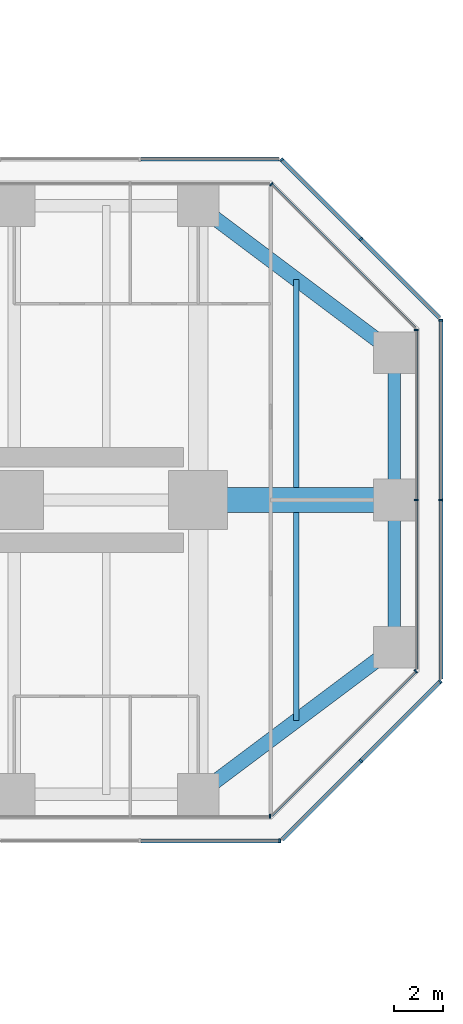
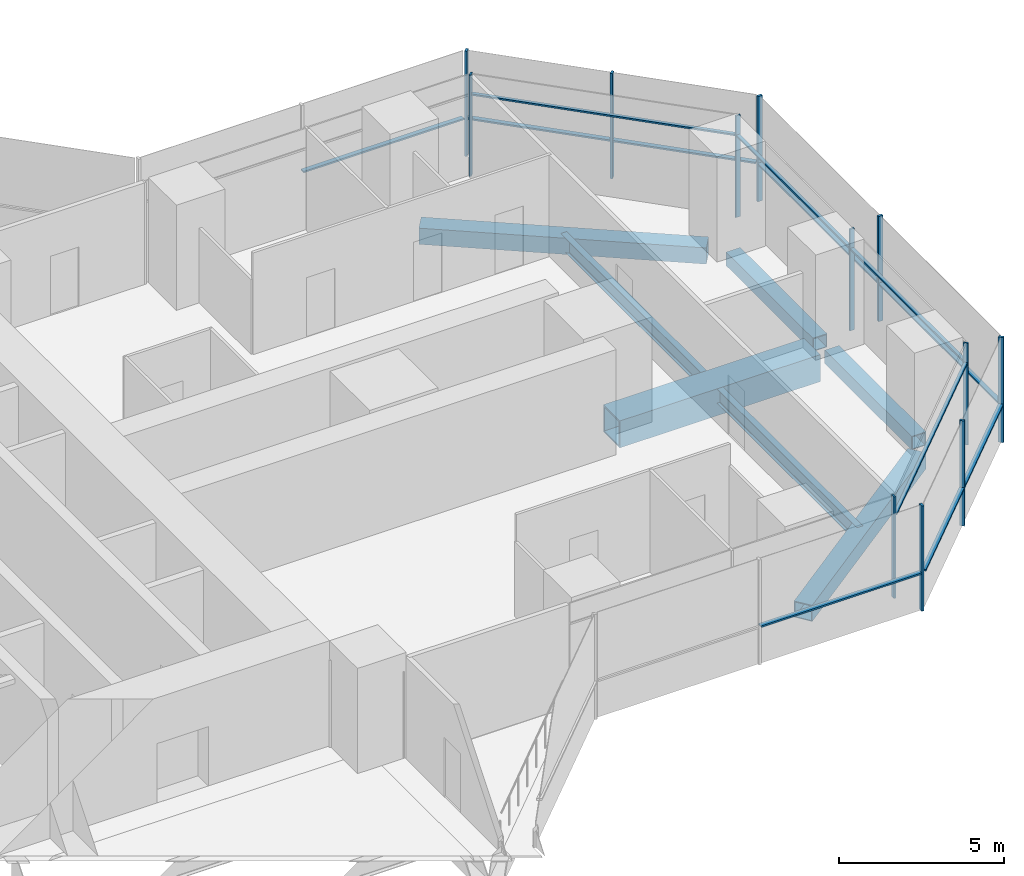
# One storey, part 11 of 20: 24 members, 7 beams, 9 elements without a shape of their own.
"""IFC4 building model written with IfcOpenShell, lengths in metres."""

from ifc_helpers import new_model, si_unit, direction, frame, origin, origin_2d, place, context, subcontext, project, spatial, rectangle, hollow_rectangle, i_section, extrude, material, material_profile, profile_set, type_object, element, aggregate, save


model = new_model("IFC4")

# Units and contexts
model_context = context("Model", 3, precision=1e-05, world=origin(), true_north=direction((0.0, 1.0)))
body_context = subcontext(model_context, "Body", "Model", "MODEL_VIEW")
ifc_project = project(units=[si_unit("LENGTHUNIT", "METRE"), si_unit("AREAUNIT", "SQUARE_METRE"), si_unit("VOLUMEUNIT", "CUBIC_METRE"), si_unit("PLANEANGLEUNIT", "RADIAN"), si_unit("MASSUNIT", "GRAM", prefix="KILO")], contexts=[model_context])

# Site, building, storey
site_placement = place(None, origin())
site = spatial("IfcSite", under=ifc_project, at=site_placement, CompositionType="ELEMENT")
building_placement = place(site_placement, origin())
building = spatial("IfcBuilding", under=site, at=building_placement, Name="Mizan Broadcast Tower", CompositionType="ELEMENT")
storey_placement = place(building_placement, frame((0.0, 0.0, 147.60009765625)))
storey = spatial("IfcBuildingStorey", under=building, at=storey_placement, Name="L33", CompositionType="ELEMENT", Elevation=147.60009765625)

# Beams
ifc_material_1 = material(Name="Steel S355", Category="steel")
ifc_material_profile_1 = material_profile(ifc_material_1, hollow_rectangle(XDim=0.5, YDim=0.5, WallThickness=0.030029296875, at=origin_2d()), Name="BOX 500x500x30")
ifc_profile_set_1 = profile_set([ifc_material_profile_1], Name="Steel S355")
beam_type_1 = type_object("IfcBeamType", Name="EDGE BEAM BOX 500x500x30", PredefinedType="SPANDREL", material=ifc_profile_set_1)
for number, where, z_axis, x_axis, name in (
    (1, (35.0, -5.639892578125, -0.380126953125), (0.0, 1.0, 0.0), (-1.0, 0.0, 0.0), "Edge beam BOX 500x500x30 L33 east arm"),
    (2, (35.0, 5.639892578125, -0.380126953125), (0.0, -1.0, 0.0), (1.0, 0.0, 0.0), "Edge beam BOX 500x500x30 L33 east arm"),
):
    element("IfcBeam", number, at=place(storey_placement, frame(where, z_axis=z_axis, x_axis=x_axis)), inside=storey, type_object=beam_type_1, Name=name, PredefinedType="SPANDREL", context=body_context, shape_type="SweptSolid", body=[
        extrude(hollow_rectangle(XDim=0.5, YDim=0.5, WallThickness=0.030029296875, at=origin_2d()), origin(), (0.0, 0.0, 1.0), 5.27978515625),
    ])
ifc_material_2 = material(Name="Steel S355", Category="steel")
ifc_material_profile_2 = material_profile(ifc_material_2, hollow_rectangle(XDim=0.60009765625, YDim=0.60009765625, WallThickness=0.030029296875, at=origin_2d()), Name="BOX 600x600x30")
ifc_profile_set_2 = profile_set([ifc_material_profile_2], Name="Steel S355")
beam_type_2 = type_object("IfcBeamType", Name="EDGE BEAM BOX 600x600x30", PredefinedType="SPANDREL", material=ifc_profile_set_2)
for number, where, z_axis, x_axis, name in (
    (3, (27.47998046875, -11.639892578125, -0.43017578125), (0.800013316712, 0.599982243973, 0.0), (-0.599982243973, 0.800013316712, 0.0), "Edge beam BOX 600x600x30 L33 east arm"),
    (4, (27.47998046875, 11.639892578125, -0.43017578125), (0.800013316712, -0.599982243973, 0.0), (0.599982243973, 0.800013316712, 0.0), "Edge beam BOX 600x600x30 L33 east arm"),
):
    element("IfcBeam", number, at=place(storey_placement, frame(where, z_axis=z_axis, x_axis=x_axis)), inside=storey, type_object=beam_type_2, Name=name, PredefinedType="SPANDREL", context=body_context, shape_type="SweptSolid", body=[
        extrude(hollow_rectangle(XDim=0.60009765625, YDim=0.60009765625, WallThickness=0.030029296875, at=origin_2d()), origin(), (0.0, 0.0, 1.0), 8.7998046875),
    ])
ifc_material_3 = material(Name="Steel S460", Category="steel")
ifc_material_profile_3 = material_profile(ifc_material_3, hollow_rectangle(XDim=1.0, YDim=1.0, WallThickness=0.06005859375, at=origin_2d()), Name="BOX 1000x1000x60")
ifc_profile_set_3 = profile_set([ifc_material_profile_3], Name="Steel S460")
beam_type_3 = type_object("IfcBeamType", Name="GIRDER BOX 1000x1000x60", PredefinedType="BEAM", material=ifc_profile_set_3)
beam_placement = place(storey_placement, frame((27.47998046875, 0.0, -0.630126953125), z_axis=(1.0, 0.0, 0.0), x_axis=(0.0, 1.0, 0.0)))
element("IfcBeam", 5, at=beam_placement, inside=storey, type_object=beam_type_3, Name="Girder BOX 1000x1000x60 L33 east arm", PredefinedType="BEAM", context=body_context, shape_type="SweptSolid", body=[
    extrude(hollow_rectangle(XDim=1.0, YDim=1.0, WallThickness=0.06005859375, at=origin_2d()), origin(), (0.0, 0.0, 1.0), 7.0400390625),
])

# Curtain wall, member
ifc_material_4 = material(Name="Aluminium framed glazing", Category="aluminium")
curtain_wall_type_1 = type_object("IfcCurtainWallType", Name="INNER SKIN MID ZONE", PredefinedType="USERDEFINED", material=ifc_material_4)
curtain_wall_1_placement = place(storey_placement, origin())
curtain_wall_1 = element("IfcCurtainWall", 6, at=curtain_wall_1_placement, inside=storey, type_object=curtain_wall_type_1, Name="Inner skin mid zone L33 E side", ObjectType="INNER SKIN MID ZONE", PredefinedType="USERDEFINED")
ifc_material_5 = material(Name="Aluminium, pale anodised", Category="aluminium")
ifc_material_profile_4 = material_profile(ifc_material_5, rectangle(XDim=0.159912109375, YDim=0.06005859375, at=origin_2d()), Name="MULLION 160x60")
ifc_profile_set_4 = profile_set([ifc_material_profile_4], Name="Aluminium, pale anodised")
member_type_1 = type_object("IfcMemberType", Name="INNER SKIN MULLION 60x160", PredefinedType="MULLION", material=ifc_profile_set_4)
member_1_placement = place(storey_placement, frame((29.928466796875, -12.89990234375, 0.0), z_axis=(0.0, 0.0, 1.0), x_axis=(0.0, 1.0, 0.0)))
member_1 = element("IfcMember", 7, at=member_1_placement, type_object=member_type_1, Name="Inner skin mid zone L33 E side mullion 3", PredefinedType="MULLION", context=body_context, shape_type="SweptSolid", body=[
    extrude(rectangle(XDim=0.159912109375, YDim=0.06005859375, at=origin_2d()), origin(), (0.0, 0.0, 1.0), 3.77001953125),
])
aggregate(curtain_wall_1, [member_1])

curtain_wall_2_placement = place(storey_placement, origin())
curtain_wall_2 = element("IfcCurtainWall", 8, at=curtain_wall_2_placement, inside=storey, type_object=curtain_wall_type_1, Name="Inner skin mid zone L33 E chamfer", ObjectType="INNER SKIN MID ZONE", PredefinedType="USERDEFINED")
member_2_placement = place(storey_placement, frame((35.87890625, -6.979736328125, 0.0), z_axis=(0.0, 0.0, 1.0), x_axis=(-0.707106781187, 0.707106781187, 0.0)))
member_2 = element("IfcMember", 9, at=member_2_placement, type_object=member_type_1, Name="Inner skin mid zone L33 E chamfer mullion 2", PredefinedType="MULLION", context=body_context, shape_type="SweptSolid", body=[
    extrude(rectangle(XDim=0.159912109375, YDim=0.06005859375, at=origin_2d()), origin(), (0.0, 0.0, 1.0), 3.77001953125),
])

# Curtain wall, members
curtain_wall_3_placement = place(storey_placement, origin())
curtain_wall_3 = element("IfcCurtainWall", 10, at=curtain_wall_3_placement, inside=storey, type_object=curtain_wall_type_1, Name="Inner skin mid zone L33 E end", ObjectType="INNER SKIN MID ZONE", PredefinedType="USERDEFINED")
member_3_placement = place(storey_placement, frame((35.89990234375, 0.0, 0.0), z_axis=(0.0, 0.0, 1.0), x_axis=(-1.0, 0.0, 0.0)))
member_3 = element("IfcMember", 11, at=member_3_placement, type_object=member_type_1, Name="Inner skin mid zone L33 E end mullion 2", PredefinedType="MULLION", context=body_context, shape_type="SweptSolid", body=[
    extrude(rectangle(XDim=0.159912109375, YDim=0.06005859375, at=origin_2d()), origin(), (0.0, 0.0, 1.0), 3.77001953125),
])
member_4_placement = place(storey_placement, frame((35.89990234375, 6.928466796875, 0.0), z_axis=(0.0, 0.0, 1.0), x_axis=(-1.0, 0.0, 0.0)))
member_4 = element("IfcMember", 12, at=member_4_placement, type_object=member_type_1, Name="Inner skin mid zone L33 E end mullion 3", PredefinedType="MULLION", context=body_context, shape_type="SweptSolid", body=[
    extrude(rectangle(XDim=0.159912109375, YDim=0.06005859375, at=origin_2d()), origin(), (0.0, 0.0, 1.0), 3.77001953125),
])

# Curtain wall, member
curtain_wall_4_placement = place(storey_placement, origin())
curtain_wall_4 = element("IfcCurtainWall", 13, at=curtain_wall_4_placement, inside=storey, type_object=curtain_wall_type_1, Name="Inner skin mid zone L33 E chamfer", ObjectType="INNER SKIN MID ZONE", PredefinedType="USERDEFINED")
member_5_placement = place(storey_placement, frame((29.979736328125, 12.87890625, 0.0), z_axis=(0.0, 0.0, 1.0), x_axis=(-0.707106781187, -0.707106781187, 0.0)))
member_5 = element("IfcMember", 14, at=member_5_placement, type_object=member_type_1, Name="Inner skin mid zone L33 E chamfer mullion 2", PredefinedType="MULLION", context=body_context, shape_type="SweptSolid", body=[
    extrude(rectangle(XDim=0.159912109375, YDim=0.06005859375, at=origin_2d()), origin(), (0.0, 0.0, 1.0), 3.77001953125),
])

# Member
ifc_material_6 = material(Name="Aluminium, pale anodised", Category="aluminium")
ifc_material_profile_5 = material_profile(ifc_material_6, rectangle(XDim=0.1201171875, YDim=0.06005859375, at=origin_2d()), Name="TRANSOM 120x60")
ifc_profile_set_5 = profile_set([ifc_material_profile_5], Name="Aluminium, pale anodised")
member_type_2 = type_object("IfcMemberType", Name="INNER SKIN TRANSOM 60x120", PredefinedType="USERDEFINED", material=ifc_profile_set_5)
member_6_placement = place(storey_placement, frame((30.0009765625, -12.857666015625, 3.02978515625), z_axis=(0.707106781187, 0.707106781187, 0.0), x_axis=(-0.707106781187, 0.707106781187, 0.0)))
member_6 = element("IfcMember", 15, at=member_6_placement, type_object=member_type_2, Name="Inner skin mid zone L33 E chamfer transom 1.1", ObjectType="TRANSOM", PredefinedType="USERDEFINED", context=body_context, shape_type="SweptSolid", body=[
    extrude(rectangle(XDim=0.1201171875, YDim=0.06005859375, at=origin_2d()), origin(), (0.0, 0.0, 1.0), 8.28271484375),
])

aggregate(curtain_wall_2, [member_2, member_6])

member_7_placement = place(storey_placement, frame((35.89990234375, -6.898681640625, 3.02978515625), z_axis=(0.0, 1.0, 0.0), x_axis=(-1.0, 0.0, 0.0)))
member_7 = element("IfcMember", 16, at=member_7_placement, type_object=member_type_2, Name="Inner skin mid zone L33 E end transom 1.1", ObjectType="TRANSOM", PredefinedType="USERDEFINED", context=body_context, shape_type="SweptSolid", body=[
    extrude(rectangle(XDim=0.1201171875, YDim=0.06005859375, at=origin_2d()), origin(), (0.0, 0.0, 1.0), 6.86865234375),
])

member_8_placement = place(storey_placement, frame((35.89990234375, 0.030029296875, 3.02978515625), z_axis=(0.0, 1.0, 0.0), x_axis=(-1.0, 0.0, 0.0)))
member_8 = element("IfcMember", 17, at=member_8_placement, type_object=member_type_2, Name="Inner skin mid zone L33 E end transom 2.1", ObjectType="TRANSOM", PredefinedType="USERDEFINED", context=body_context, shape_type="SweptSolid", body=[
    extrude(rectangle(XDim=0.1201171875, YDim=0.06005859375, at=origin_2d()), origin(), (0.0, 0.0, 1.0), 6.86865234375),
])

aggregate(curtain_wall_3, [member_3, member_4, member_7, member_8])

member_9_placement = place(storey_placement, frame((35.857666015625, 7.0009765625, 3.02978515625), z_axis=(-0.707106781187, 0.707106781187, 0.0), x_axis=(-0.707106781187, -0.707106781187, 0.0)))
member_9 = element("IfcMember", 18, at=member_9_placement, type_object=member_type_2, Name="Inner skin mid zone L33 E chamfer transom 1.1", ObjectType="TRANSOM", PredefinedType="USERDEFINED", context=body_context, shape_type="SweptSolid", body=[
    extrude(rectangle(XDim=0.1201171875, YDim=0.06005859375, at=origin_2d()), origin(), (0.0, 0.0, 1.0), 8.28271484375),
])

aggregate(curtain_wall_4, [member_5, member_9])

# Curtain wall, members
ifc_material_7 = material(Name="Aluminium framed glazing", Category="aluminium")
curtain_wall_type_2 = type_object("IfcCurtainWallType", Name="OUTER SKIN", PredefinedType="USERDEFINED", material=ifc_material_7)
curtain_wall_5_placement = place(storey_placement, origin())
curtain_wall_5 = element("IfcCurtainWall", 19, at=curtain_wall_5_placement, inside=storey, type_object=curtain_wall_type_2, Name="Outer skin L33 E chamfer", ObjectType="OUTER SKIN", PredefinedType="USERDEFINED")
ifc_material_8 = material(Name="Aluminium, pale anodised", Category="aluminium")
ifc_material_profile_6 = material_profile(ifc_material_8, rectangle(XDim=0.159912109375, YDim=0.080078125, at=origin_2d()), Name="MULLION 160x80")
ifc_profile_set_6 = profile_set([ifc_material_profile_6], Name="Aluminium, pale anodised")
member_type_3 = type_object("IfcMemberType", Name="OUTER SKIN MULLION 80x160", PredefinedType="MULLION", material=ifc_profile_set_6)
member_10_placement = place(storey_placement, frame((33.636474609375, -10.636474609375, 0.0), z_axis=(0.0, 0.0, 1.0), x_axis=(-0.707106781187, 0.707106781187, 0.0)))
member_10 = element("IfcMember", 20, at=member_10_placement, type_object=member_type_3, Name="Outer skin L33 E chamfer mullion 2", PredefinedType="MULLION", context=body_context, shape_type="SweptSolid", body=[
    extrude(rectangle(XDim=0.159912109375, YDim=0.080078125, at=origin_2d()), origin(), (0.0, 0.0, 1.0), 3.89990234375),
])
member_11_placement = place(storey_placement, frame((36.871826171875, -7.401123046875, 0.0), z_axis=(0.0, 0.0, 1.0), x_axis=(-0.707106781187, 0.707106781187, 0.0)))
member_11 = element("IfcMember", 21, at=member_11_placement, type_object=member_type_3, Name="Outer skin L33 E chamfer mullion 3", PredefinedType="MULLION", context=body_context, shape_type="SweptSolid", body=[
    extrude(rectangle(XDim=0.159912109375, YDim=0.080078125, at=origin_2d()), origin(), (0.0, 0.0, 1.0), 3.89990234375),
])

curtain_wall_6_placement = place(storey_placement, origin())
curtain_wall_6 = element("IfcCurtainWall", 22, at=curtain_wall_6_placement, inside=storey, type_object=curtain_wall_type_2, Name="Outer skin L33 E end", ObjectType="OUTER SKIN", PredefinedType="USERDEFINED")
member_12_placement = place(storey_placement, frame((36.89990234375, 0.0, 0.0), z_axis=(0.0, 0.0, 1.0), x_axis=(-1.0, 0.0, 0.0)))
member_12 = element("IfcMember", 23, at=member_12_placement, type_object=member_type_3, Name="Outer skin L33 E end mullion 2", PredefinedType="MULLION", context=body_context, shape_type="SweptSolid", body=[
    extrude(rectangle(XDim=0.159912109375, YDim=0.080078125, at=origin_2d()), origin(), (0.0, 0.0, 1.0), 3.89990234375),
])
member_13_placement = place(storey_placement, frame((36.89990234375, 7.332763671875, 0.0), z_axis=(0.0, 0.0, 1.0), x_axis=(-1.0, 0.0, 0.0)))
member_13 = element("IfcMember", 24, at=member_13_placement, type_object=member_type_3, Name="Outer skin L33 E end mullion 3", PredefinedType="MULLION", context=body_context, shape_type="SweptSolid", body=[
    extrude(rectangle(XDim=0.159912109375, YDim=0.080078125, at=origin_2d()), origin(), (0.0, 0.0, 1.0), 3.89990234375),
])

curtain_wall_7_placement = place(storey_placement, origin())
curtain_wall_7 = element("IfcCurtainWall", 25, at=curtain_wall_7_placement, inside=storey, type_object=curtain_wall_type_2, Name="Outer skin L33 E chamfer", ObjectType="OUTER SKIN", PredefinedType="USERDEFINED")
member_14_placement = place(storey_placement, frame((33.636474609375, 10.636474609375, 0.0), z_axis=(0.0, 0.0, 1.0), x_axis=(-0.707106781187, -0.707106781187, 0.0)))
member_14 = element("IfcMember", 26, at=member_14_placement, type_object=member_type_3, Name="Outer skin L33 E chamfer mullion 2", PredefinedType="MULLION", context=body_context, shape_type="SweptSolid", body=[
    extrude(rectangle(XDim=0.159912109375, YDim=0.080078125, at=origin_2d()), origin(), (0.0, 0.0, 1.0), 3.89990234375),
])
member_15_placement = place(storey_placement, frame((30.401123046875, 13.871826171875, 0.0), z_axis=(0.0, 0.0, 1.0), x_axis=(-0.707106781187, -0.707106781187, 0.0)))
member_15 = element("IfcMember", 27, at=member_15_placement, type_object=member_type_3, Name="Outer skin L33 E chamfer mullion 3", PredefinedType="MULLION", context=body_context, shape_type="SweptSolid", body=[
    extrude(rectangle(XDim=0.159912109375, YDim=0.080078125, at=origin_2d()), origin(), (0.0, 0.0, 1.0), 3.89990234375),
])

# Curtain wall, member
curtain_wall_8_placement = place(storey_placement, origin())
curtain_wall_8 = element("IfcCurtainWall", 28, at=curtain_wall_8_placement, inside=storey, type_object=curtain_wall_type_2, Name="Outer skin L33 E side", ObjectType="OUTER SKIN", PredefinedType="USERDEFINED")
member_16_placement = place(storey_placement, frame((30.332763671875, -13.89990234375, 0.0), z_axis=(0.0, 0.0, 1.0), x_axis=(0.0, 1.0, 0.0)))
member_16 = element("IfcMember", 29, at=member_16_placement, type_object=member_type_3, Name="Outer skin L33 E side mullion 3", PredefinedType="MULLION", context=body_context, shape_type="SweptSolid", body=[
    extrude(rectangle(XDim=0.159912109375, YDim=0.080078125, at=origin_2d()), origin(), (0.0, 0.0, 1.0), 3.89990234375),
])

# Member
ifc_material_9 = material(Name="Aluminium, pale anodised", Category="aluminium")
ifc_material_profile_7 = material_profile(ifc_material_9, rectangle(XDim=0.159912109375, YDim=0.06005859375, at=origin_2d()), Name="TRANSOM 160x60")
ifc_profile_set_7 = profile_set([ifc_material_profile_7], Name="Aluminium, pale anodised")
member_type_4 = type_object("IfcMemberType", Name="OUTER SKIN TRANSOM 60x160", PredefinedType="USERDEFINED", material=ifc_profile_set_7)
member_17_placement = place(storey_placement, frame((30.429443359375, -13.843505859375, 1.39990234375), z_axis=(0.707106781187, 0.707106781187, 0.0), x_axis=(-0.707106781187, 0.707106781187, 0.0)))
member_17 = element("IfcMember", 30, at=member_17_placement, type_object=member_type_4, Name="Outer skin L33 E chamfer transom 1.1", ObjectType="TRANSOM", PredefinedType="USERDEFINED", context=body_context, shape_type="SweptSolid", body=[
    extrude(rectangle(XDim=0.159912109375, YDim=0.06005859375, at=origin_2d()), origin(), (0.0, 0.0, 1.0), 4.495361328125),
])

member_18_placement = place(storey_placement, frame((33.664794921875, -10.608154296875, 1.39990234375), z_axis=(0.707106781187, 0.707106781187, 0.0), x_axis=(-0.707106781187, 0.707106781187, 0.0)))
member_18 = element("IfcMember", 31, at=member_18_placement, type_object=member_type_4, Name="Outer skin L33 E chamfer transom 2.1", ObjectType="TRANSOM", PredefinedType="USERDEFINED", context=body_context, shape_type="SweptSolid", body=[
    extrude(rectangle(XDim=0.159912109375, YDim=0.06005859375, at=origin_2d()), origin(), (0.0, 0.0, 1.0), 4.495361328125),
])

aggregate(curtain_wall_5, [member_10, member_11, member_17, member_18])

member_19_placement = place(storey_placement, frame((36.89990234375, -7.292724609375, 1.39990234375), z_axis=(0.0, 1.0, 0.0), x_axis=(-1.0, 0.0, 0.0)))
member_19 = element("IfcMember", 32, at=member_19_placement, type_object=member_type_4, Name="Outer skin L33 E end transom 1.1", ObjectType="TRANSOM", PredefinedType="USERDEFINED", context=body_context, shape_type="SweptSolid", body=[
    extrude(rectangle(XDim=0.159912109375, YDim=0.06005859375, at=origin_2d()), origin(), (0.0, 0.0, 1.0), 7.252685546875),
])

member_20_placement = place(storey_placement, frame((36.89990234375, 0.0400390625, 1.39990234375), z_axis=(0.0, 1.0, 0.0), x_axis=(-1.0, 0.0, 0.0)))
member_20 = element("IfcMember", 33, at=member_20_placement, type_object=member_type_4, Name="Outer skin L33 E end transom 2.1", ObjectType="TRANSOM", PredefinedType="USERDEFINED", context=body_context, shape_type="SweptSolid", body=[
    extrude(rectangle(XDim=0.159912109375, YDim=0.06005859375, at=origin_2d()), origin(), (0.0, 0.0, 1.0), 7.252685546875),
])

aggregate(curtain_wall_6, [member_12, member_13, member_19, member_20])

member_21_placement = place(storey_placement, frame((36.843505859375, 7.429443359375, 1.39990234375), z_axis=(-0.707106781187, 0.707106781187, 0.0), x_axis=(-0.707106781187, -0.707106781187, 0.0)))
member_21 = element("IfcMember", 34, at=member_21_placement, type_object=member_type_4, Name="Outer skin L33 E chamfer transom 1.1", ObjectType="TRANSOM", PredefinedType="USERDEFINED", context=body_context, shape_type="SweptSolid", body=[
    extrude(rectangle(XDim=0.159912109375, YDim=0.06005859375, at=origin_2d()), origin(), (0.0, 0.0, 1.0), 4.495361328125),
])

member_22_placement = place(storey_placement, frame((33.608154296875, 10.664794921875, 1.39990234375), z_axis=(-0.707106781187, 0.707106781187, 0.0), x_axis=(-0.707106781187, -0.707106781187, 0.0)))
member_22 = element("IfcMember", 35, at=member_22_placement, type_object=member_type_4, Name="Outer skin L33 E chamfer transom 2.1", ObjectType="TRANSOM", PredefinedType="USERDEFINED", context=body_context, shape_type="SweptSolid", body=[
    extrude(rectangle(XDim=0.159912109375, YDim=0.06005859375, at=origin_2d()), origin(), (0.0, 0.0, 1.0), 4.495361328125),
])

aggregate(curtain_wall_7, [member_14, member_15, member_21, member_22])

# Curtain wall, member
curtain_wall_9_placement = place(storey_placement, origin())
curtain_wall_9 = element("IfcCurtainWall", 36, at=curtain_wall_9_placement, inside=storey, type_object=curtain_wall_type_2, Name="Outer skin L33 E side", ObjectType="OUTER SKIN", PredefinedType="USERDEFINED")
member_23_placement = place(storey_placement, frame((30.292724609375, 13.89990234375, 1.39990234375), z_axis=(-1.0, 0.0, 0.0), x_axis=(0.0, -1.0, 0.0)))
member_23 = element("IfcMember", 37, at=member_23_placement, type_object=member_type_4, Name="Outer skin L33 E side transom 1.1", ObjectType="TRANSOM", PredefinedType="USERDEFINED", context=body_context, shape_type="SweptSolid", body=[
    extrude(rectangle(XDim=0.159912109375, YDim=0.06005859375, at=origin_2d()), origin(), (0.0, 0.0, 1.0), 5.6298828125),
])
aggregate(curtain_wall_9, [member_23])

# Member
member_24_placement = place(storey_placement, frame((24.662841796875, -13.89990234375, 1.39990234375), z_axis=(1.0, 0.0, 0.0), x_axis=(0.0, 1.0, 0.0)))
member_24 = element("IfcMember", 38, at=member_24_placement, type_object=member_type_4, Name="Outer skin L33 E side transom 2.1", ObjectType="TRANSOM", PredefinedType="USERDEFINED", context=body_context, shape_type="SweptSolid", body=[
    extrude(rectangle(XDim=0.159912109375, YDim=0.06005859375, at=origin_2d()), origin(), (0.0, 0.0, 1.0), 5.6298828125),
])

aggregate(curtain_wall_8, [member_16, member_24])

# Beams
ifc_material_10 = material(Name="Steel S355", Category="steel")
ifc_material_profile_8 = material_profile(ifc_material_10, i_section(OverallWidth=0.2099609375, OverallDepth=0.550048828125, WebThickness=0.010986328125, FlangeThickness=0.01708984375, FilletRadius=0.02392578125, at=origin_2d()), Name="IPE 550")
ifc_profile_set_8 = profile_set([ifc_material_profile_8], Name="Steel S355")
beam_type_4 = type_object("IfcBeamType", Name="SECONDARY BEAM IPE 550", PredefinedType="JOIST", material=ifc_profile_set_8)
for number, where, z_axis, x_axis, name in (
    (39, (31.0, -9.0, -0.405029296875), (0.0, 1.0, 0.0), (-1.0, 0.0, 0.0), "Secondary beam IPE 550 L33 east arm"),
    (40, (31.0, 9.0, -0.405029296875), (0.0, -1.0, 0.0), (1.0, 0.0, 0.0), "Secondary beam IPE 550 L33 east arm"),
):
    element("IfcBeam", number, at=place(storey_placement, frame(where, z_axis=z_axis, x_axis=x_axis)), inside=storey, type_object=beam_type_4, Name=name, PredefinedType="JOIST", context=body_context, shape_type="SweptSolid", body=[
        extrude(i_section(OverallWidth=0.2099609375, OverallDepth=0.550048828125, WebThickness=0.010986328125, FlangeThickness=0.01708984375, FilletRadius=0.02392578125, at=origin_2d()), origin(), (0.0, 0.0, 1.0), 8.5),
    ])

save(model, "model.ifc")
